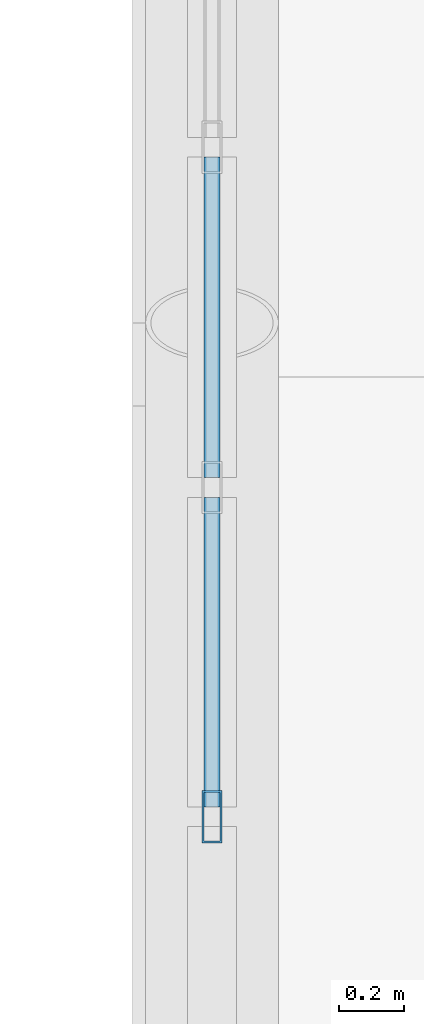
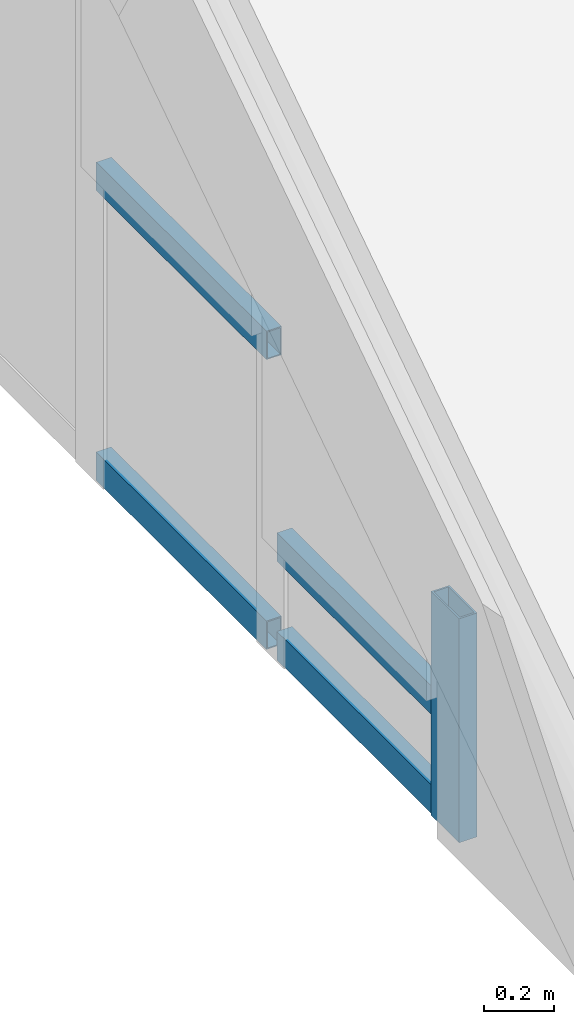
# One storey, part 44 of 77: 5 members, 1 element without a shape of its own.
"""IFC4 building model written with IfcOpenShell, lengths in metres."""

import ifcopenshell
import ifcopenshell.guid

model = None  # the IFC model being written
_history = None  # IfcOwnerHistory: only IFC2X3 demands one
_inside = {}  # id of a spatial element -> (the spatial element, [elements in it])
_under = {}  # id of a project, library or spatial element -> (it, [spatial elements below it])
_declared = {}  # id of a project -> (the project, [libraries it declares])
_typed = {}  # id of a type object -> (the type object, [elements of that type])
_made_of = {}  # id of a material, layer set ... -> (it, [elements and type objects made of it])


def new_model(schema):
    """Start an empty IFC model of exactly this schema.

    Asked for "IFC4X3", IfcOpenShell would pick the latest addendum, in which some entities
    have other attributes; the version numbers below select the first issue.
    IFC2X3 requires an IfcOwnerHistory on every rooted entity: one is made here for all.
    """
    global model, _history
    if schema == "IFC4X3":
        model = ifcopenshell.file(schema_version=(4, 3, 0, 0))
    else:
        model = ifcopenshell.file(schema=schema)
    _inside.clear()
    _under.clear()
    _declared.clear()
    _typed.clear()
    _made_of.clear()
    _history = None
    if model.schema == "IFC2X3":
        org = make("IfcOrganization", Name="unknown")
        user = make(
            "IfcPersonAndOrganization",
            ThePerson=make("IfcPerson", FamilyName="unknown"),
            TheOrganization=org,
        )
        app = make(
            "IfcApplication",
            ApplicationDeveloper=org,
            Version="unknown",
            ApplicationFullName="unknown",
            ApplicationIdentifier="unknown",
        )
        _history = make(
            "IfcOwnerHistory",
            OwningUser=user,
            OwningApplication=app,
            ChangeAction="ADDED",
            CreationDate=0,
        )
    return model


def make(cls, **values):
    """One entity of the class cls with the attributes given. An attribute that is None is left unset."""
    return model.create_entity(
        cls, **{name: value for name, value in values.items() if value is not None}
    )


def rooted(cls, **values):
    """An entity with a GlobalId (a new one), such as an element, a storey or a relation."""
    return make(cls, GlobalId=ifcopenshell.guid.new(), OwnerHistory=_history, **values)


def si_unit(unit_type, name, prefix=None):
    """IfcSIUnit, for example si_unit("LENGTHUNIT", "METRE", prefix="MILLI")."""
    return make("IfcSIUnit", UnitType=unit_type, Prefix=prefix, Name=name)


def assignment(units):
    """IfcUnitAssignment: the units of a project."""
    return None if units is None else make("IfcUnitAssignment", Units=units)


def point(xyz):
    """IfcCartesianPoint."""
    return None if xyz is None else make("IfcCartesianPoint", Coordinates=xyz)


def direction(xyz):
    """IfcDirection."""
    return None if xyz is None else make("IfcDirection", DirectionRatios=xyz)


def frame(location, z_axis=None, x_axis=None):
    """IfcAxis2Placement3D, a coordinate frame: its origin and axes. An axis left out is left unset."""
    return make(
        "IfcAxis2Placement3D",
        Location=point(location),
        Axis=direction(z_axis),
        RefDirection=direction(x_axis),
    )


def frame_2d(location, x_axis=None):
    """IfcAxis2Placement2D, a coordinate frame in the plane: its origin and x axis."""
    return make(
        "IfcAxis2Placement2D", Location=point(location), RefDirection=direction(x_axis)
    )


def origin():
    """The frame at (0, 0, 0) with its axes left unset."""
    return frame((0.0, 0.0, 0.0))


def origin_2d():
    """The frame at (0, 0) in the plane with its x axis left unset."""
    return frame_2d((0.0, 0.0))


def place(relative_to, where):
    """IfcLocalPlacement: puts the frame where relative to a parent placement (None: the world)."""
    return make(
        "IfcLocalPlacement", PlacementRelTo=relative_to, RelativePlacement=where
    )


def context(
    kind, dimensions, precision=None, world=None, true_north=None, identifier=None
):
    """IfcGeometricRepresentationContext, for example the 3D "Model" context."""
    return make(
        "IfcGeometricRepresentationContext",
        ContextIdentifier=identifier,
        ContextType=kind,
        CoordinateSpaceDimension=dimensions,
        Precision=precision,
        WorldCoordinateSystem=world,
        TrueNorth=true_north,
    )


def subcontext(parent, identifier, kind, view, scale=None):
    """IfcGeometricRepresentationSubContext, for example "Body" below "Model"."""
    return make(
        "IfcGeometricRepresentationSubContext",
        ContextIdentifier=identifier,
        ContextType=kind,
        ParentContext=parent,
        TargetScale=scale,
        TargetView=view,
    )


def project(units=None, contexts=None):
    """IfcProject with its units and contexts."""
    return rooted(
        "IfcProject",
        Name="project",
        RepresentationContexts=contexts,
        UnitsInContext=assignment(units),
    )


def spatial(cls, under=None, at=None, **own):
    """A site, building, storey or space (cls), placed at a placement, below another one or the project."""
    s = rooted(cls, ObjectPlacement=at, **own)
    if under is not None:
        _under.setdefault(under.id(), (under, []))[1].append(s)
    return s


def profile(cls, at=None, kind="AREA", **sizes):
    """A parametric profile (cls). Its sizes go by their IFC names, for example OverallWidth=200.0."""
    return make(cls, ProfileType=kind, Position=at, **sizes)


def hollow_rectangle(**sizes):
    """IfcRectangleHollowProfileDef."""
    return profile("IfcRectangleHollowProfileDef", **sizes)


def extrude(swept, where, along, depth):
    """IfcExtrudedAreaSolid: the profile swept, set in the frame where, extruded along a direction by depth."""
    return make(
        "IfcExtrudedAreaSolid",
        SweptArea=swept,
        Position=where,
        ExtrudedDirection=direction(along),
        Depth=depth,
    )


def shape(context_of_items, identifier, shape_type, items):
    """IfcShapeRepresentation: the items that make up one representation, for example the "Body"."""
    return make(
        "IfcShapeRepresentation",
        ContextOfItems=context_of_items,
        RepresentationIdentifier=identifier,
        RepresentationType=shape_type,
        Items=items,
    )


def material(Name=None, Category=None):
    """IfcMaterial."""
    return make("IfcMaterial", Name=Name, Category=Category)


def material_profile(
    of_material, cross_section, Name=None, Category=None, Priority=None
):
    """IfcMaterialProfile: a cross section and its material."""
    return make(
        "IfcMaterialProfile",
        Name=Name,
        Material=of_material,
        Profile=cross_section,
        Priority=Priority,
        Category=Category,
    )


def profile_set(profiles, Name=None, composite=None):
    """IfcMaterialProfileSet."""
    return make(
        "IfcMaterialProfileSet",
        Name=Name,
        MaterialProfiles=profiles,
        CompositeProfile=composite,
    )


def made_of(thing, what):
    """Note that an element or type object is made of a material, layer set ...; save() writes the relation."""
    if what is not None:
        _made_of.setdefault(what.id(), (what, []))[1].append(thing)
    return thing


def type_object(cls, material=None, **own):
    """A type object (cls), such as IfcWallType, which elements share."""
    return made_of(rooted(cls, **own), material)


def element(
    cls,
    number,
    at=None,
    inside=None,
    cuts=None,
    type_object=None,
    material=None,
    context=None,
    identifier="Body",
    shape_type=None,
    held_by="IfcProductDefinitionShape",
    body=None,
    shapes=None,
    **own,
):
    """One element of the class cls, such as IfcWall. Its Tag is "e" and its number.

    at: its placement. inside: the storey or other place that contains it. cuts: it is an
    opening in that element (IfcRelVoidsElement). A single representation is given by context,
    identifier, shape_type and body (its items); several are given by shapes. held_by: the class
    of the entity that holds the representations. save() writes the other relations.
    """
    e = rooted(cls, Tag="e%d" % number, ObjectPlacement=at, **own)
    if body is not None:
        shapes = [shape(context, identifier, shape_type, body)]
    if shapes is not None:
        e.Representation = make(held_by, Representations=shapes)
    if inside is not None:
        _inside.setdefault(inside.id(), (inside, []))[1].append(e)
    if cuts is not None:
        rooted(
            "IfcRelVoidsElement", RelatingBuildingElement=cuts, RelatedOpeningElement=e
        )
    if type_object is not None:
        _typed.setdefault(type_object.id(), (type_object, []))[1].append(e)
    return made_of(e, material)


def aggregate(whole, parts):
    """IfcRelAggregates: a whole, such as a stair, and the parts it consists of."""
    return rooted("IfcRelAggregates", RelatingObject=whole, RelatedObjects=parts)


def save(model, path):
    """Write the relations noted so far, then the file.

    IfcRelAggregates (storeys below a building ...), IfcRelContainedInSpatialStructure (elements
    in a storey), IfcRelDefinesByType, IfcRelAssociatesMaterial and IfcRelDeclares: one each for
    every whole, place, type object, material and project.
    """
    for whole, parts in _under.values():
        aggregate(whole, parts)
    for where, things in _inside.values():
        rooted(
            "IfcRelContainedInSpatialStructure",
            RelatedElements=things,
            RelatingStructure=where,
        )
    for kind, things in _typed.values():
        rooted("IfcRelDefinesByType", RelatedObjects=things, RelatingType=kind)
    for what, things in _made_of.values():
        rooted("IfcRelAssociatesMaterial", RelatedObjects=things, RelatingMaterial=what)
    for by, libraries in _declared.values():
        rooted("IfcRelDeclares", RelatingContext=by, RelatedDefinitions=libraries)
    model.write(path)


model = new_model("IFC4")

# Units and contexts
model_context = context("Model", 3, precision=1e-05, world=origin(), true_north=direction((0.0, 1.0)))
body_context = subcontext(model_context, "Body", "Model", "MODEL_VIEW")
ifc_project = project(units=[si_unit("LENGTHUNIT", "METRE"), si_unit("AREAUNIT", "SQUARE_METRE"), si_unit("VOLUMEUNIT", "CUBIC_METRE"), si_unit("PLANEANGLEUNIT", "RADIAN"), si_unit("MASSUNIT", "GRAM", prefix="KILO")], contexts=[model_context])

# Site, building, storey
site_placement = place(None, origin())
site = spatial("IfcSite", under=ifc_project, at=site_placement, CompositionType="ELEMENT")
building_placement = place(site_placement, origin())
building = spatial("IfcBuilding", under=site, at=building_placement, Name="Catenary Quay Ferry Terminal", CompositionType="ELEMENT")
storey_placement = place(building_placement, frame((0.0, 0.0, 10.800048828125)))
storey = spatial("IfcBuildingStorey", under=building, at=storey_placement, Name="L02", CompositionType="ELEMENT", Elevation=10.800048828125)

# Curtain wall, members
ifc_material_1 = material(Name="Aluminium and glass", Category="aluminium")
curtain_wall_type = type_object("IfcCurtainWallType", Name="CWA", PredefinedType="NOTDEFINED", material=ifc_material_1)
curtain_wall_placement = place(storey_placement, origin())
curtain_wall = element("IfcCurtainWall", 1, at=curtain_wall_placement, inside=storey, type_object=curtain_wall_type, Name="Arch arrivals hall curtain wall CW5", PredefinedType="NOTDEFINED")
ifc_material_2 = material(Name="Aluminium", Category="aluminium")
ifc_material_profile_1 = material_profile(ifc_material_2, hollow_rectangle(XDim=0.06005859375, YDim=0.159912109375, WallThickness=0.006103515625, at=origin_2d()), Name="MU5")
ifc_profile_set_1 = profile_set([ifc_material_profile_1], Name="Aluminium")
member_type_1 = type_object("IfcMemberType", Name="MU5", PredefinedType="MULLION", material=ifc_profile_set_1)
member_1_placement = place(storey_placement, frame((25.199951171875, 68.708984375, 0.0), z_axis=(0.0, 0.0, 1.0), x_axis=(-1.0, 0.0, 0.0)))
member_1 = element("IfcMember", 2, at=member_1_placement, type_object=member_type_1, Name="CW5 mullion 1", PredefinedType="MULLION", context=body_context, shape_type="SweptSolid", body=[
    extrude(hollow_rectangle(XDim=0.06005859375, YDim=0.159912109375, WallThickness=0.006103515625, at=origin_2d()), origin(), (0.0, 0.0, 1.0), 0.786376953125),
])
ifc_material_3 = material(Name="Aluminium", Category="aluminium")
ifc_material_profile_2 = material_profile(ifc_material_3, hollow_rectangle(XDim=0.050048828125, YDim=0.10009765625, WallThickness=0.00390625, at=origin_2d()), Name="TR4")
ifc_profile_set_2 = profile_set([ifc_material_profile_2], Name="Aluminium")
member_type_2 = type_object("IfcMemberType", Name="TR4", PredefinedType="USERDEFINED", material=ifc_profile_set_2)
member_2_placement = place(storey_placement, frame((25.199951171875, 68.739013671875, 0.050048828125), z_axis=(0.0, 1.0, 0.0), x_axis=(-1.0, 0.0, 0.0)))
member_2 = element("IfcMember", 3, at=member_2_placement, type_object=member_type_2, Name="CW5 transom 1.1", ObjectType="TRANSOM", PredefinedType="USERDEFINED", context=body_context, shape_type="SweptSolid", body=[
    extrude(hollow_rectangle(XDim=0.050048828125, YDim=0.10009765625, WallThickness=0.00390625, at=origin_2d()), origin(), (0.0, 0.0, 1.0), 0.946044921875),
])
member_3_placement = place(storey_placement, frame((25.199951171875, 68.739013671875, 0.396484375), z_axis=(0.0, 1.0, 0.0), x_axis=(-1.0, 0.0, 0.0)))
member_3 = element("IfcMember", 4, at=member_3_placement, type_object=member_type_2, Name="CW5 transom 1.2", ObjectType="TRANSOM", PredefinedType="USERDEFINED", context=body_context, shape_type="SweptSolid", body=[
    extrude(hollow_rectangle(XDim=0.050048828125, YDim=0.10009765625, WallThickness=0.00390625, at=origin_2d()), origin(), (0.0, 0.0, 1.0), 0.946044921875),
])
member_4_placement = place(storey_placement, frame((25.199951171875, 69.7451171875, 0.050048828125), z_axis=(0.0, 1.0, 0.0), x_axis=(-1.0, 0.0, 0.0)))
member_4 = element("IfcMember", 5, at=member_4_placement, type_object=member_type_2, Name="CW5 transom 2.1", ObjectType="TRANSOM", PredefinedType="USERDEFINED", context=body_context, shape_type="SweptSolid", body=[
    extrude(hollow_rectangle(XDim=0.050048828125, YDim=0.10009765625, WallThickness=0.00390625, at=origin_2d()), origin(), (0.0, 0.0, 1.0), 0.9794921875),
])
member_5_placement = place(storey_placement, frame((25.199951171875, 69.7451171875, 1.0673828125), z_axis=(0.0, 1.0, 0.0), x_axis=(-1.0, 0.0, 0.0)))
member_5 = element("IfcMember", 6, at=member_5_placement, type_object=member_type_2, Name="CW5 transom 2.2", ObjectType="TRANSOM", PredefinedType="USERDEFINED", context=body_context, shape_type="SweptSolid", body=[
    extrude(hollow_rectangle(XDim=0.050048828125, YDim=0.10009765625, WallThickness=0.00390625, at=origin_2d()), origin(), (0.0, 0.0, 1.0), 0.9794921875),
])
aggregate(curtain_wall, [member_1, member_2, member_3, member_4, member_5])

save(model, "model.ifc")
